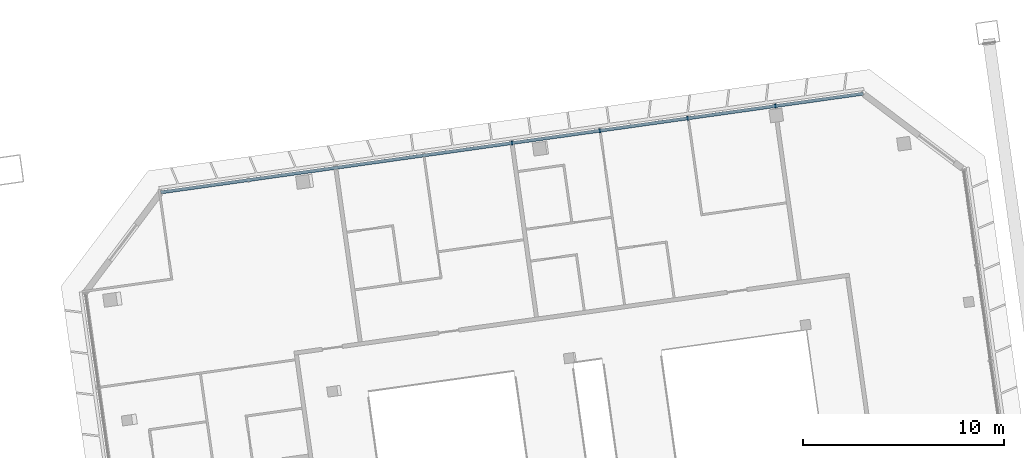
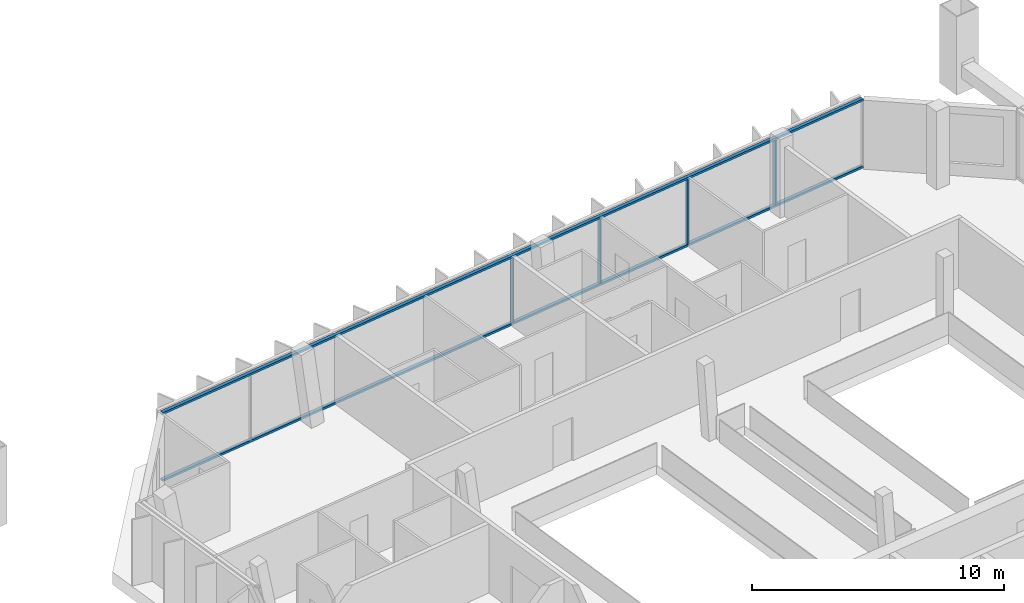
# One storey, part 11 of 26: 6 members, 1 element without a shape of its own.
"""IFC4 building model written with IfcOpenShell, lengths in metres."""

import ifcopenshell
import ifcopenshell.guid

model = None  # the IFC model being written
_history = None  # IfcOwnerHistory: only IFC2X3 demands one
_inside = {}  # id of a spatial element -> (the spatial element, [elements in it])
_under = {}  # id of a project, library or spatial element -> (it, [spatial elements below it])
_declared = {}  # id of a project -> (the project, [libraries it declares])
_typed = {}  # id of a type object -> (the type object, [elements of that type])
_made_of = {}  # id of a material, layer set ... -> (it, [elements and type objects made of it])


def new_model(schema):
    """Start an empty IFC model of exactly this schema.

    Asked for "IFC4X3", IfcOpenShell would pick the latest addendum, in which some entities
    have other attributes; the version numbers below select the first issue.
    IFC2X3 requires an IfcOwnerHistory on every rooted entity: one is made here for all.
    """
    global model, _history
    if schema == "IFC4X3":
        model = ifcopenshell.file(schema_version=(4, 3, 0, 0))
    else:
        model = ifcopenshell.file(schema=schema)
    _inside.clear()
    _under.clear()
    _declared.clear()
    _typed.clear()
    _made_of.clear()
    _history = None
    if model.schema == "IFC2X3":
        org = make("IfcOrganization", Name="unknown")
        user = make(
            "IfcPersonAndOrganization",
            ThePerson=make("IfcPerson", FamilyName="unknown"),
            TheOrganization=org,
        )
        app = make(
            "IfcApplication",
            ApplicationDeveloper=org,
            Version="unknown",
            ApplicationFullName="unknown",
            ApplicationIdentifier="unknown",
        )
        _history = make(
            "IfcOwnerHistory",
            OwningUser=user,
            OwningApplication=app,
            ChangeAction="ADDED",
            CreationDate=0,
        )
    return model


def make(cls, **values):
    """One entity of the class cls with the attributes given. An attribute that is None is left unset."""
    return model.create_entity(
        cls, **{name: value for name, value in values.items() if value is not None}
    )


def rooted(cls, **values):
    """An entity with a GlobalId (a new one), such as an element, a storey or a relation."""
    return make(cls, GlobalId=ifcopenshell.guid.new(), OwnerHistory=_history, **values)


def si_unit(unit_type, name, prefix=None):
    """IfcSIUnit, for example si_unit("LENGTHUNIT", "METRE", prefix="MILLI")."""
    return make("IfcSIUnit", UnitType=unit_type, Prefix=prefix, Name=name)


def assignment(units):
    """IfcUnitAssignment: the units of a project."""
    return None if units is None else make("IfcUnitAssignment", Units=units)


def point(xyz):
    """IfcCartesianPoint."""
    return None if xyz is None else make("IfcCartesianPoint", Coordinates=xyz)


def direction(xyz):
    """IfcDirection."""
    return None if xyz is None else make("IfcDirection", DirectionRatios=xyz)


def frame(location, z_axis=None, x_axis=None):
    """IfcAxis2Placement3D, a coordinate frame: its origin and axes. An axis left out is left unset."""
    return make(
        "IfcAxis2Placement3D",
        Location=point(location),
        Axis=direction(z_axis),
        RefDirection=direction(x_axis),
    )


def frame_2d(location, x_axis=None):
    """IfcAxis2Placement2D, a coordinate frame in the plane: its origin and x axis."""
    return make(
        "IfcAxis2Placement2D", Location=point(location), RefDirection=direction(x_axis)
    )


def origin():
    """The frame at (0, 0, 0) with its axes left unset."""
    return frame((0.0, 0.0, 0.0))


def origin_2d():
    """The frame at (0, 0) in the plane with its x axis left unset."""
    return frame_2d((0.0, 0.0))


def place(relative_to, where):
    """IfcLocalPlacement: puts the frame where relative to a parent placement (None: the world)."""
    return make(
        "IfcLocalPlacement", PlacementRelTo=relative_to, RelativePlacement=where
    )


def context(
    kind, dimensions, precision=None, world=None, true_north=None, identifier=None
):
    """IfcGeometricRepresentationContext, for example the 3D "Model" context."""
    return make(
        "IfcGeometricRepresentationContext",
        ContextIdentifier=identifier,
        ContextType=kind,
        CoordinateSpaceDimension=dimensions,
        Precision=precision,
        WorldCoordinateSystem=world,
        TrueNorth=true_north,
    )


def subcontext(parent, identifier, kind, view, scale=None):
    """IfcGeometricRepresentationSubContext, for example "Body" below "Model"."""
    return make(
        "IfcGeometricRepresentationSubContext",
        ContextIdentifier=identifier,
        ContextType=kind,
        ParentContext=parent,
        TargetScale=scale,
        TargetView=view,
    )


def project(units=None, contexts=None):
    """IfcProject with its units and contexts."""
    return rooted(
        "IfcProject",
        Name="project",
        RepresentationContexts=contexts,
        UnitsInContext=assignment(units),
    )


def spatial(cls, under=None, at=None, **own):
    """A site, building, storey or space (cls), placed at a placement, below another one or the project."""
    s = rooted(cls, ObjectPlacement=at, **own)
    if under is not None:
        _under.setdefault(under.id(), (under, []))[1].append(s)
    return s


def profile(cls, at=None, kind="AREA", **sizes):
    """A parametric profile (cls). Its sizes go by their IFC names, for example OverallWidth=200.0."""
    return make(cls, ProfileType=kind, Position=at, **sizes)


def rectangle(**sizes):
    """IfcRectangleProfileDef."""
    return profile("IfcRectangleProfileDef", **sizes)


def extrude(swept, where, along, depth):
    """IfcExtrudedAreaSolid: the profile swept, set in the frame where, extruded along a direction by depth."""
    return make(
        "IfcExtrudedAreaSolid",
        SweptArea=swept,
        Position=where,
        ExtrudedDirection=direction(along),
        Depth=depth,
    )


def shape(context_of_items, identifier, shape_type, items):
    """IfcShapeRepresentation: the items that make up one representation, for example the "Body"."""
    return make(
        "IfcShapeRepresentation",
        ContextOfItems=context_of_items,
        RepresentationIdentifier=identifier,
        RepresentationType=shape_type,
        Items=items,
    )


def material(Name=None, Category=None):
    """IfcMaterial."""
    return make("IfcMaterial", Name=Name, Category=Category)


def material_profile(
    of_material, cross_section, Name=None, Category=None, Priority=None
):
    """IfcMaterialProfile: a cross section and its material."""
    return make(
        "IfcMaterialProfile",
        Name=Name,
        Material=of_material,
        Profile=cross_section,
        Priority=Priority,
        Category=Category,
    )


def profile_set(profiles, Name=None, composite=None):
    """IfcMaterialProfileSet."""
    return make(
        "IfcMaterialProfileSet",
        Name=Name,
        MaterialProfiles=profiles,
        CompositeProfile=composite,
    )


def made_of(thing, what):
    """Note that an element or type object is made of a material, layer set ...; save() writes the relation."""
    if what is not None:
        _made_of.setdefault(what.id(), (what, []))[1].append(thing)
    return thing


def type_object(cls, material=None, **own):
    """A type object (cls), such as IfcWallType, which elements share."""
    return made_of(rooted(cls, **own), material)


def element(
    cls,
    number,
    at=None,
    inside=None,
    cuts=None,
    type_object=None,
    material=None,
    context=None,
    identifier="Body",
    shape_type=None,
    held_by="IfcProductDefinitionShape",
    body=None,
    shapes=None,
    **own,
):
    """One element of the class cls, such as IfcWall. Its Tag is "e" and its number.

    at: its placement. inside: the storey or other place that contains it. cuts: it is an
    opening in that element (IfcRelVoidsElement). A single representation is given by context,
    identifier, shape_type and body (its items); several are given by shapes. held_by: the class
    of the entity that holds the representations. save() writes the other relations.
    """
    e = rooted(cls, Tag="e%d" % number, ObjectPlacement=at, **own)
    if body is not None:
        shapes = [shape(context, identifier, shape_type, body)]
    if shapes is not None:
        e.Representation = make(held_by, Representations=shapes)
    if inside is not None:
        _inside.setdefault(inside.id(), (inside, []))[1].append(e)
    if cuts is not None:
        rooted(
            "IfcRelVoidsElement", RelatingBuildingElement=cuts, RelatedOpeningElement=e
        )
    if type_object is not None:
        _typed.setdefault(type_object.id(), (type_object, []))[1].append(e)
    return made_of(e, material)


def aggregate(whole, parts):
    """IfcRelAggregates: a whole, such as a stair, and the parts it consists of."""
    return rooted("IfcRelAggregates", RelatingObject=whole, RelatedObjects=parts)


def save(model, path):
    """Write the relations noted so far, then the file.

    IfcRelAggregates (storeys below a building ...), IfcRelContainedInSpatialStructure (elements
    in a storey), IfcRelDefinesByType, IfcRelAssociatesMaterial and IfcRelDeclares: one each for
    every whole, place, type object, material and project.
    """
    for whole, parts in _under.values():
        aggregate(whole, parts)
    for where, things in _inside.values():
        rooted(
            "IfcRelContainedInSpatialStructure",
            RelatedElements=things,
            RelatingStructure=where,
        )
    for kind, things in _typed.values():
        rooted("IfcRelDefinesByType", RelatedObjects=things, RelatingType=kind)
    for what, things in _made_of.values():
        rooted("IfcRelAssociatesMaterial", RelatedObjects=things, RelatingMaterial=what)
    for by, libraries in _declared.values():
        rooted("IfcRelDeclares", RelatingContext=by, RelatedDefinitions=libraries)
    model.write(path)


model = new_model("IFC4")

# Units and contexts
model_context = context("Model", 3, precision=1e-05, world=origin(), true_north=direction((0.0, 1.0)))
body_context = subcontext(model_context, "Body", "Model", "MODEL_VIEW")
ifc_project = project(units=[si_unit("LENGTHUNIT", "METRE"), si_unit("AREAUNIT", "SQUARE_METRE"), si_unit("VOLUMEUNIT", "CUBIC_METRE"), si_unit("PLANEANGLEUNIT", "RADIAN"), si_unit("MASSUNIT", "GRAM", prefix="KILO")], contexts=[model_context])

# Site, building, storey
site_placement = place(None, origin())
site = spatial("IfcSite", under=ifc_project, at=site_placement, CompositionType="ELEMENT")
building_placement = place(site_placement, origin())
building = spatial("IfcBuilding", under=site, at=building_placement, Name="Mirante Cascada Hotel Towers", CompositionType="ELEMENT")
storey_placement = place(building_placement, frame((0.0, 0.0, 235.6)))
storey = spatial("IfcBuildingStorey", under=building, at=storey_placement, Name="L56", CompositionType="ELEMENT", Elevation=235.6)

# Curtain wall, members
ifc_material_1 = material(Name="Aluminium mullion and transom frame with clear laminated glass", Category="aluminium")
curtain_wall_type = type_object("IfcCurtainWallType", Name="Ribbon curtain wall ECW1", PredefinedType="NOTDEFINED", material=ifc_material_1)
curtain_wall_placement = place(storey_placement, origin())
curtain_wall = element("IfcCurtainWall", 1, at=curtain_wall_placement, inside=storey, type_object=curtain_wall_type, Name="Front ribbon wall T2 L56", PredefinedType="NOTDEFINED")
ifc_material_2 = material(Name="Anodised aluminium extrusion", Category="aluminium")
ifc_material_profile_1 = material_profile(ifc_material_2, rectangle(XDim=0.2, YDim=0.065, at=origin_2d()), Name="ECW1 MULLION 65x200")
ifc_profile_set_1 = profile_set([ifc_material_profile_1], Name="Anodised aluminium extrusion")
member_type_1 = type_object("IfcMemberType", Name="ECW1 mullion 65x200", PredefinedType="MULLION", material=ifc_profile_set_1)
member_1_placement = place(storey_placement, frame((54.1397, 20.4279, 0.1), z_axis=(0.0, 0.0, 1.0), x_axis=(0.1391731, -0.9902681, 0.0)))
member_1 = element("IfcMember", 2, at=member_1_placement, type_object=member_type_1, Name="ECW1 mullion 2", PredefinedType="MULLION", context=body_context, shape_type="SweptSolid", body=[
    extrude(rectangle(XDim=0.2, YDim=0.065, at=origin_2d()), origin(), (0.0, 0.0, 1.0), 3.15),
])
member_2_placement = place(storey_placement, frame((49.7708, 19.8139, 0.1), z_axis=(0.0, 0.0, 1.0), x_axis=(0.1391731, -0.9902681, 0.0)))
member_2 = element("IfcMember", 3, at=member_2_placement, type_object=member_type_1, Name="ECW1 mullion 3", PredefinedType="MULLION", context=body_context, shape_type="SweptSolid", body=[
    extrude(rectangle(XDim=0.2, YDim=0.065, at=origin_2d()), origin(), (0.0, 0.0, 1.0), 3.15),
])
member_3_placement = place(storey_placement, frame((45.402, 19.1999, 0.1), z_axis=(0.0, 0.0, 1.0), x_axis=(0.1391731, -0.9902681, 0.0)))
member_3 = element("IfcMember", 4, at=member_3_placement, type_object=member_type_1, Name="ECW1 mullion 4", PredefinedType="MULLION", context=body_context, shape_type="SweptSolid", body=[
    extrude(rectangle(XDim=0.2, YDim=0.065, at=origin_2d()), origin(), (0.0, 0.0, 1.0), 3.15),
])
member_4_placement = place(storey_placement, frame((41.0331, 18.5859, 0.1), z_axis=(0.0, 0.0, 1.0), x_axis=(0.1391731, -0.9902681, 0.0)))
member_4 = element("IfcMember", 5, at=member_4_placement, type_object=member_type_1, Name="ECW1 mullion 5", PredefinedType="MULLION", context=body_context, shape_type="SweptSolid", body=[
    extrude(rectangle(XDim=0.2, YDim=0.065, at=origin_2d()), origin(), (0.0, 0.0, 1.0), 3.15),
])
ifc_material_3 = material(Name="Anodised aluminium extrusion", Category="aluminium")
ifc_material_profile_2 = material_profile(ifc_material_3, rectangle(XDim=0.16, YDim=0.1, at=origin_2d()), Name="ECW1 TRANSOM 100x160")
ifc_profile_set_2 = profile_set([ifc_material_profile_2], Name="Anodised aluminium extrusion")
member_type_2 = type_object("IfcMemberType", Name="ECW1 transom 100x160", PredefinedType="USERDEFINED", material=ifc_profile_set_2)
member_5_placement = place(storey_placement, frame((58.5085, 21.0419, 0.05), z_axis=(-0.9902677, -0.1391755, 0.0), x_axis=(0.1391755, -0.9902677, 0.0)))
member_5 = element("IfcMember", 6, at=member_5_placement, type_object=member_type_2, Name="ECW1 sill transom", ObjectType="TRANSOM", PredefinedType="USERDEFINED", context=body_context, shape_type="SweptSolid", body=[
    extrude(rectangle(XDim=0.16, YDim=0.1, at=origin_2d()), origin(), (0.0, 0.0, 1.0), 35.2943),
])
member_6_placement = place(storey_placement, frame((58.5085, 21.0419, 3.3), z_axis=(-0.9902677, -0.1391755, 0.0), x_axis=(0.1391755, -0.9902677, 0.0)))
member_6 = element("IfcMember", 7, at=member_6_placement, type_object=member_type_2, Name="ECW1 head transom", ObjectType="TRANSOM", PredefinedType="USERDEFINED", context=body_context, shape_type="SweptSolid", body=[
    extrude(rectangle(XDim=0.16, YDim=0.1, at=origin_2d()), origin(), (0.0, 0.0, 1.0), 35.2943),
])
aggregate(curtain_wall, [member_5, member_6, member_1, member_2, member_3, member_4])

save(model, "model.ifc")
